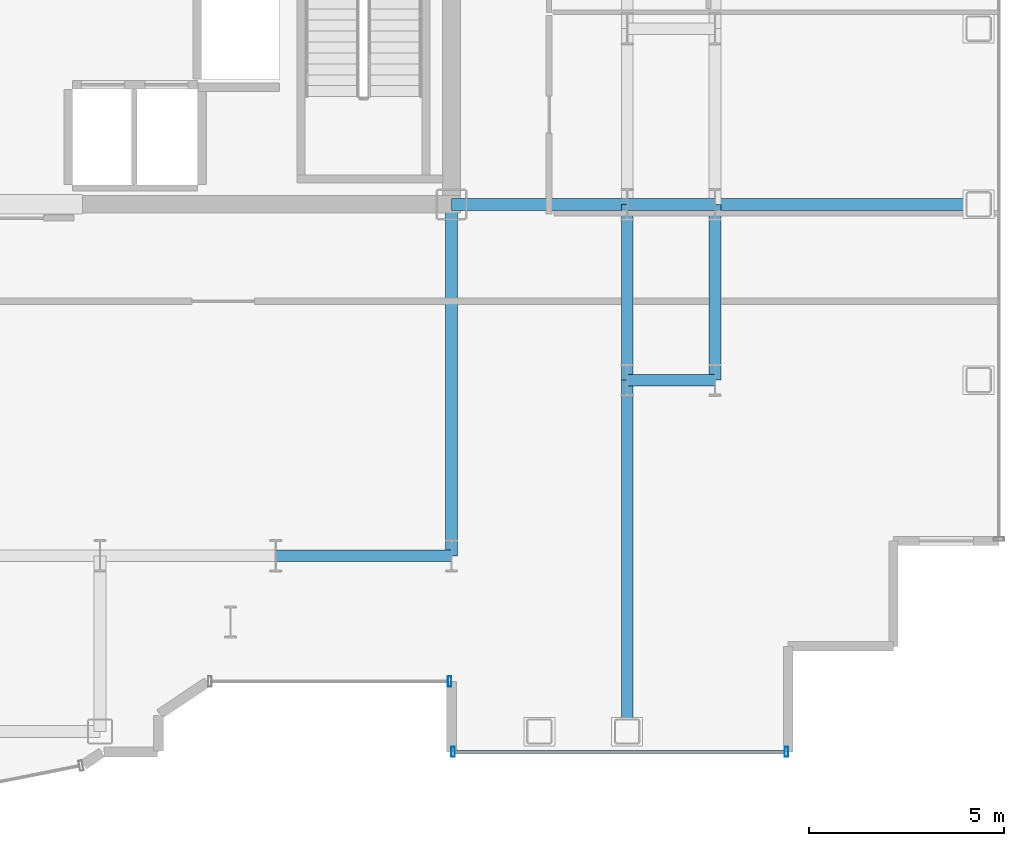
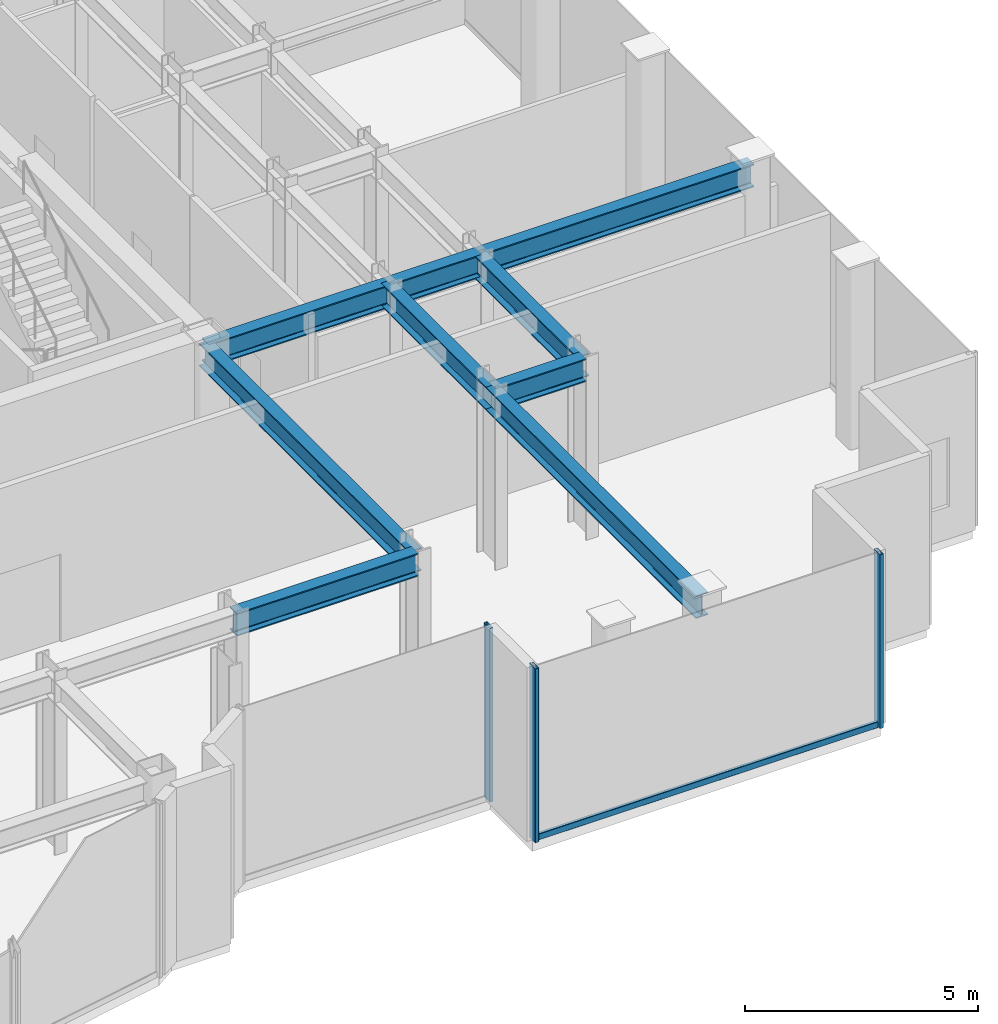
# One storey, part 5 of 20: 9 beams, 4 members, 2 elements without a shape of their own.
"""IFC4 building model written with IfcOpenShell, lengths in metres."""

from ifc_helpers import new_model, si_unit, direction, frame, origin, origin_2d, place, context, subcontext, project, spatial, hollow_rectangle, i_section, extrude, source, transform, mapped, material, layer, layer_set, material_profile, profile_set, type_object, element, aggregate, save


model = new_model("IFC4")

# Units and contexts
model_context = context("Model", 3, precision=1e-05, world=origin(), true_north=direction((0.0, 1.0)))
body_context = subcontext(model_context, "Body", "Model", "MODEL_VIEW")
ifc_project = project(units=[si_unit("LENGTHUNIT", "METRE"), si_unit("AREAUNIT", "SQUARE_METRE"), si_unit("VOLUMEUNIT", "CUBIC_METRE"), si_unit("PLANEANGLEUNIT", "RADIAN"), si_unit("MASSUNIT", "GRAM", prefix="KILO")], contexts=[model_context])

# Site, building, storey
site_placement = place(None, origin())
site = spatial("IfcSite", under=ifc_project, at=site_placement, CompositionType="ELEMENT")
building_placement = place(site_placement, origin())
building = spatial("IfcBuilding", under=site, at=building_placement, Name="Nefas-Gora Pilgrimage Tower", CompositionType="ELEMENT")
storey_placement = place(building_placement, frame((0.0, 0.0, 259.800048828125)))
storey = spatial("IfcBuildingStorey", under=building, at=storey_placement, Name="L65", CompositionType="ELEMENT", Elevation=259.800048828125)

# Beams
ifc_material_1 = material(Name="Steel S355", Category="steel")
ifc_material_profile_1 = material_profile(ifc_material_1, i_section(OverallWidth=0.300048828125, OverallDepth=0.60009765625, WebThickness=0.015380859375, FlangeThickness=0.030029296875, FilletRadius=0.027099609375, at=origin_2d()), Name="HEB 600")
ifc_profile_set_1 = profile_set([ifc_material_profile_1], Name="Steel S355")
beam_type = type_object("IfcBeamType", Name="BM-GIR-HEB600", PredefinedType="BEAM", material=ifc_profile_set_1)
shared_shape_1 = source(origin(), body_context, "Body", "SweptSolid", [
    extrude(i_section(OverallWidth=0.300048828125, OverallDepth=0.60009765625, WebThickness=0.015380859375, FlangeThickness=0.030029296875, FilletRadius=0.027099609375, at=origin_2d()), origin(), (0.0, 0.0, 1.0), 9.0),
])
for number, where, z_axis, x_axis, name in (
    (1, (11.25, -18.0, 4.25), (0.0, 1.0, 0.0), (-1.0, 0.0, 0.0), "L65 G-04 beam"),
    (2, (15.75, -22.5, 4.25), (0.0, 1.0, 0.0), (-1.0, 0.0, 0.0), "L65 G-04 beam"),
):
    element("IfcBeam", number, at=place(storey_placement, frame(where, z_axis=z_axis, x_axis=x_axis)), inside=storey, type_object=beam_type, Name=name, PredefinedType="BEAM", context=body_context, shape_type="MappedRepresentation", body=[
        mapped(shared_shape_1, transform((0.0, 0.0, 0.0), x_axis=(1.0, 0.0, 0.0), y_axis=(0.0, 1.0, 0.0), z_axis=(0.0, 0.0, 1.0), scale=1.0)),
    ])
shared_shape_2 = source(origin(), body_context, "Body", "SweptSolid", [
    extrude(i_section(OverallWidth=0.300048828125, OverallDepth=0.60009765625, WebThickness=0.015380859375, FlangeThickness=0.030029296875, FilletRadius=0.027099609375, at=origin_2d()), origin(), (0.0, 0.0, 1.0), 4.5),
])
for number, where, z_axis, x_axis, name in (
    (3, (6.75, -18.0, 4.25), (1.0, 0.0, 0.0), (0.0, 1.0, 0.0), "L65 G-04 beam"),
    (4, (11.25, -9.0, 4.25), (1.0, 0.0, 0.0), (0.0, 1.0, 0.0), "L65 G-04 beam"),
    (5, (15.75, -13.5, 4.25), (0.0, 1.0, 0.0), (-1.0, 0.0, 0.0), "L65 G-04 beam"),
    (6, (18.0, -13.5, 4.25), (0.0, 1.0, 0.0), (-1.0, 0.0, 0.0), "L65 G-04 beam"),
):
    element("IfcBeam", number, at=place(storey_placement, frame(where, z_axis=z_axis, x_axis=x_axis)), inside=storey, type_object=beam_type, Name=name, PredefinedType="BEAM", context=body_context, shape_type="MappedRepresentation", body=[
        mapped(shared_shape_2, transform((0.0, 0.0, 0.0), x_axis=(1.0, 0.0, 0.0), y_axis=(0.0, 1.0, 0.0), z_axis=(0.0, 0.0, 1.0), scale=1.0)),
    ])
shared_shape_3 = source(origin(), body_context, "Body", "SweptSolid", [
    extrude(i_section(OverallWidth=0.300048828125, OverallDepth=0.60009765625, WebThickness=0.015380859375, FlangeThickness=0.030029296875, FilletRadius=0.027099609375, at=origin_2d()), origin(), (0.0, 0.0, 1.0), 6.75),
])
beam_placement = place(storey_placement, frame((18.0, -9.0, 4.25), z_axis=(1.0, 0.0, 0.0), x_axis=(0.0, 1.0, 0.0)))
element("IfcBeam", 7, at=beam_placement, inside=storey, type_object=beam_type, Name="L65 G-04 beam", PredefinedType="BEAM", context=body_context, shape_type="MappedRepresentation", body=[
    mapped(shared_shape_3, transform((0.0, 0.0, 0.0), x_axis=(1.0, 0.0, 0.0), y_axis=(0.0, 1.0, 0.0), z_axis=(0.0, 0.0, 1.0), scale=1.0)),
])
shared_shape_4 = source(origin(), body_context, "Body", "SweptSolid", [
    extrude(i_section(OverallWidth=0.300048828125, OverallDepth=0.60009765625, WebThickness=0.015380859375, FlangeThickness=0.030029296875, FilletRadius=0.027099609375, at=origin_2d()), origin(), (0.0, 0.0, 1.0), 2.25),
])
for number, where, z_axis, x_axis, name in (
    (8, (15.75, -13.5, 4.25), (1.0, 0.0, 0.0), (0.0, 1.0, 0.0), "L65 G-04 beam"),
    (9, (15.75, -9.0, 4.25), (1.0, 0.0, 0.0), (0.0, 1.0, 0.0), "L65 G-04 beam"),
):
    element("IfcBeam", number, at=place(storey_placement, frame(where, z_axis=z_axis, x_axis=x_axis)), inside=storey, type_object=beam_type, Name=name, PredefinedType="BEAM", context=body_context, shape_type="MappedRepresentation", body=[
        mapped(shared_shape_4, transform((0.0, 0.0, 0.0), x_axis=(1.0, 0.0, 0.0), y_axis=(0.0, 1.0, 0.0), z_axis=(0.0, 0.0, 1.0), scale=1.0)),
    ])

# Curtain wall, member
ifc_material_2 = material(Name="Dark ceramic-fritted solar-control aluminium-glass curtain wall", Category="aluminium")
ifc_layer_1 = layer(ifc_material_2, 0.219970703125)
ifc_layer_set_1 = layer_set([ifc_layer_1], Name="Dark ceramic-fritted solar-control aluminium-glass curtain wall")
curtain_wall_type_1 = type_object("IfcCurtainWallType", Name="CW-SYS-5", PredefinedType="NOTDEFINED", material=ifc_layer_set_1)
curtain_wall_1_placement = place(storey_placement, origin())
curtain_wall_1 = element("IfcCurtainWall", 10, at=curtain_wall_1_placement, inside=storey, type_object=curtain_wall_type_1, Name="L65 Unitised Curtain Wall CW5", PredefinedType="NOTDEFINED")
ifc_material_3 = material(Name="Anodised architectural aluminium", Category="aluminium")
ifc_material_profile_2 = material_profile(ifc_material_3, hollow_rectangle(XDim=0.090087890625, YDim=0.260009765625, WallThickness=0.006103515625, InnerFilletRadius=0.006103515625, OuterFilletRadius=0.011962890625, at=origin_2d()), Name="ALU MULLION 90x260")
ifc_profile_set_2 = profile_set([ifc_material_profile_2], Name="Anodised architectural aluminium")
member_type_1 = type_object("IfcMemberType", Name="CWM-MUL-5", PredefinedType="MULLION", material=ifc_profile_set_2)
shared_shape_5 = source(origin(), body_context, "Body", "SweptSolid", [
    extrude(hollow_rectangle(XDim=0.090087890625, YDim=0.260009765625, WallThickness=0.006103515625, InnerFilletRadius=0.006103515625, OuterFilletRadius=0.011962890625, at=origin_2d()), origin(), (0.0, 0.0, 1.0), 4.550048828125),
])
member_1_placement = place(storey_placement, frame((11.205078125, -21.219970703125, 0.0), z_axis=(0.0, 0.0, 1.0), x_axis=(1.0, 0.0, 0.0)))
member_1 = element("IfcMember", 11, at=member_1_placement, type_object=member_type_1, Name="CW5 Mullion 2", PredefinedType="MULLION", context=body_context, shape_type="MappedRepresentation", body=[
    mapped(shared_shape_5, transform((0.0, 0.0, 0.0), x_axis=(1.0, 0.0, 0.0), y_axis=(0.0, 1.0, 0.0), z_axis=(0.0, 0.0, 1.0), scale=1.0)),
])
aggregate(curtain_wall_1, [member_1])

# Curtain wall, members
ifc_layer_2 = layer(ifc_material_2, 0.219970703125)
ifc_layer_set_2 = layer_set([ifc_layer_2], Name="Dark ceramic-fritted solar-control aluminium-glass curtain wall")
curtain_wall_type_2 = type_object("IfcCurtainWallType", Name="CW-SYS-3", PredefinedType="NOTDEFINED", material=ifc_layer_set_2)
curtain_wall_2_placement = place(storey_placement, origin())
curtain_wall_2 = element("IfcCurtainWall", 12, at=curtain_wall_2_placement, inside=storey, type_object=curtain_wall_type_2, Name="L65 Unitised Curtain Wall CW3", PredefinedType="NOTDEFINED")
ifc_material_profile_3 = material_profile(ifc_material_3, hollow_rectangle(XDim=0.080078125, YDim=0.159912109375, WallThickness=0.00439453125, InnerFilletRadius=0.00439453125, OuterFilletRadius=0.009033203125, at=origin_2d()), Name="ALU TRANSOM 80x160")
ifc_profile_set_3 = profile_set([ifc_material_profile_3], Name="Anodised architectural aluminium")
member_type_2 = type_object("IfcMemberType", Name="CWM-TRN-3", PredefinedType="USERDEFINED", material=ifc_profile_set_3)
shared_shape_6 = source(origin(), body_context, "Body", "SweptSolid", [
    extrude(hollow_rectangle(XDim=0.080078125, YDim=0.159912109375, WallThickness=0.00439453125, InnerFilletRadius=0.00439453125, OuterFilletRadius=0.009033203125, at=origin_2d()), origin(), (0.0, 0.0, 1.0), 8.43994140625),
])
member_2_placement = place(storey_placement, frame((11.340087890625, -23.02001953125, 0.050048828125), z_axis=(1.0, 0.0, 0.0), x_axis=(0.0, 1.0, 0.0)))
member_2 = element("IfcMember", 13, at=member_2_placement, type_object=member_type_2, Name="CW3 Spandrel Transom", ObjectType="TRANSOM", PredefinedType="USERDEFINED", context=body_context, shape_type="MappedRepresentation", body=[
    mapped(shared_shape_6, transform((0.0, 0.0, 0.0), x_axis=(1.0, 0.0, 0.0), y_axis=(0.0, 1.0, 0.0), z_axis=(0.0, 0.0, 1.0), scale=1.0)),
])
ifc_material_profile_4 = material_profile(ifc_material_3, hollow_rectangle(XDim=0.090087890625, YDim=0.260009765625, WallThickness=0.006103515625, InnerFilletRadius=0.006103515625, OuterFilletRadius=0.011962890625, at=origin_2d()), Name="ALU MULLION 90x260")
ifc_profile_set_4 = profile_set([ifc_material_profile_4], Name="Anodised architectural aluminium")
member_type_3 = type_object("IfcMemberType", Name="CWM-MUL-3", PredefinedType="MULLION", material=ifc_profile_set_4)
shared_shape_7 = source(origin(), body_context, "Body", "SweptSolid", [
    extrude(hollow_rectangle(XDim=0.090087890625, YDim=0.260009765625, WallThickness=0.006103515625, InnerFilletRadius=0.006103515625, OuterFilletRadius=0.011962890625, at=origin_2d()), origin(), (0.0, 0.0, 1.0), 4.550048828125),
])
member_3_placement = place(storey_placement, frame((11.294921875, -23.02001953125, 0.0), z_axis=(0.0, 0.0, 1.0), x_axis=(1.0, 0.0, 0.0)))
member_3 = element("IfcMember", 14, at=member_3_placement, type_object=member_type_3, Name="CW3 Mullion 1", PredefinedType="MULLION", context=body_context, shape_type="MappedRepresentation", body=[
    mapped(shared_shape_7, transform((0.0, 0.0, 0.0), x_axis=(1.0, 0.0, 0.0), y_axis=(0.0, 1.0, 0.0), z_axis=(0.0, 0.0, 1.0), scale=1.0)),
])
member_4_placement = place(storey_placement, frame((19.824951171875, -23.02001953125, 0.0), z_axis=(0.0, 0.0, 1.0), x_axis=(1.0, 0.0, 0.0)))
member_4 = element("IfcMember", 15, at=member_4_placement, type_object=member_type_3, Name="CW3 Mullion 2", PredefinedType="MULLION", context=body_context, shape_type="MappedRepresentation", body=[
    mapped(shared_shape_7, transform((0.0, 0.0, 0.0), x_axis=(1.0, 0.0, 0.0), y_axis=(0.0, 1.0, 0.0), z_axis=(0.0, 0.0, 1.0), scale=1.0)),
])
aggregate(curtain_wall_2, [member_3, member_4, member_2])

save(model, "model.ifc")
